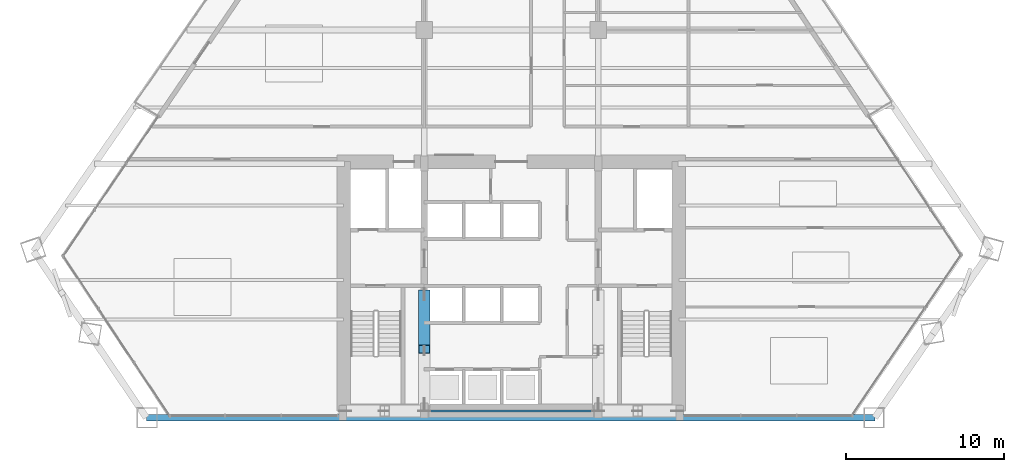
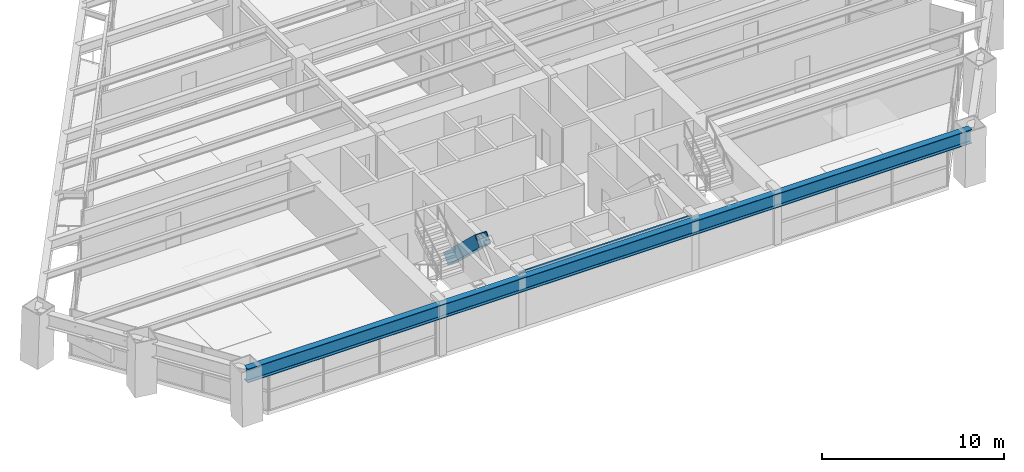
# One storey, part 3 of 15: 2 beams, 1 member.
"""IFC4 building model written with IfcOpenShell, lengths in metres."""

from ifc_helpers import new_model, si_unit, direction, frame, origin, origin_2d, place, context, subcontext, project, spatial, hollow_rectangle, i_section, extrude, source, transform, mapped, material, material_profile, profile_set, type_object, type_shapes, element, save


model = new_model("IFC4")

# Units and contexts
model_context = context("Model", 3, precision=1e-05, world=origin(), true_north=direction((0.0, 1.0)))
body_context = subcontext(model_context, "Body", "Model", "MODEL_VIEW")
ifc_project = project(units=[si_unit("LENGTHUNIT", "METRE"), si_unit("AREAUNIT", "SQUARE_METRE"), si_unit("VOLUMEUNIT", "CUBIC_METRE"), si_unit("PLANEANGLEUNIT", "RADIAN"), si_unit("MASSUNIT", "GRAM", prefix="KILO")], contexts=[model_context])

# Site, building, storey
site_placement = place(None, origin())
site = spatial("IfcSite", under=ifc_project, at=site_placement, CompositionType="ELEMENT")
building_placement = place(site_placement, origin())
building = spatial("IfcBuilding", under=site, at=building_placement, Name="Varnakhor Terracotta Tower", CompositionType="ELEMENT")
storey_placement = place(building_placement, frame((0.0, 0.0, 57.10009765625)))
storey = spatial("IfcBuildingStorey", under=building, at=storey_placement, Name="L13", CompositionType="ELEMENT", Elevation=57.10009765625)

# Beam
ifc_material_1 = material(Name="Steel S355", Category="steel")
ifc_material_profile_1 = material_profile(ifc_material_1, i_section(OverallWidth=0.1201171875, OverallDepth=0.239990234375, WebThickness=0.006103515625, FlangeThickness=0.009765625, FilletRadius=0.01806640625, at=origin_2d()), Name="IPE240")
ifc_profile_set_1 = profile_set([ifc_material_profile_1], Name="Steel S355")
beam_type_1 = type_object("IfcBeamType", Name="LNT-IPE240", PredefinedType="LINTEL", material=ifc_profile_set_1)
shared_shape_1 = source(origin(), body_context, "Body", "SweptSolid", [
    extrude(i_section(OverallWidth=0.1201171875, OverallDepth=0.239990234375, WebThickness=0.006103515625, FlangeThickness=0.009765625, FilletRadius=0.01806640625, at=origin_2d()), origin(), (0.0, 0.0, 1.0), 11.0),
])
type_shapes(beam_type_1, [shared_shape_1])
beam_1_placement = place(storey_placement, frame((-5.5, 0.419921875, 3.329833984375), z_axis=(1.0, 0.0, 0.0), x_axis=(0.0, 1.0, 0.0)))
element("IfcBeam", 1, at=beam_1_placement, inside=storey, type_object=beam_type_1, Name="L13 Core South Coupling Lintel", PredefinedType="LINTEL", context=body_context, shape_type="MappedRepresentation", body=[
    mapped(shared_shape_1, transform((0.0, 0.0, 0.0), scale=1.0)),
])

# Member
ifc_material_2 = material(Name="Steel S460", Category="steel")
ifc_material_profile_2 = material_profile(ifc_material_2, hollow_rectangle(XDim=0.75, YDim=0.75, WallThickness=0.044921875, at=origin_2d()), Name="HSS750X750X45")
ifc_profile_set_2 = profile_set([ifc_material_profile_2], Name="Steel S460")
member_type = type_object("IfcMemberType", Name="MBR-MEGA-750", PredefinedType="BRACE", material=ifc_profile_set_2)
shared_shape_2 = source(origin(), body_context, "Body", "SweptSolid", [
    extrude(hollow_rectangle(XDim=0.75, YDim=0.75, WallThickness=0.044921875, at=origin_2d()), origin(), (0.0, 0.0, 1.0), 4.792236328125),
])
member_placement = place(storey_placement, frame((-5.5, 7.800048828125, 0.0), z_axis=(0.0, -0.72515968173, 0.688580740359), x_axis=(1.0, 0.0, 0.0)))
element("IfcMember", 2, at=member_placement, inside=storey, type_object=member_type, Name="L13 Core Coupled Brace CWWB", PredefinedType="BRACE", context=body_context, shape_type="MappedRepresentation", body=[
    mapped(shared_shape_2, transform((0.0, 0.0, 0.0), scale=1.0)),
])

# Beam
ifc_material_profile_3 = material_profile(ifc_material_1, i_section(OverallWidth=0.41796875, OverallDepth=0.927001953125, WebThickness=0.01904296875, FlangeThickness=0.031982421875, FilletRadius=0.01806640625, at=origin_2d()), Name="W36X231")
ifc_profile_set_3 = profile_set([ifc_material_profile_3], Name="Steel S355")
beam_type_2 = type_object("IfcBeamType", Name="BM-W36X231", PredefinedType="BEAM", material=ifc_profile_set_3)
shared_shape_3 = source(origin(), body_context, "Body", "SweptSolid", [
    extrude(i_section(OverallWidth=0.41796875, OverallDepth=0.927001953125, WebThickness=0.01904296875, FlangeThickness=0.031982421875, FilletRadius=0.01806640625, at=origin_2d()), origin(), (0.0, 0.0, 1.0), 46.03857421875),
])
beam_2_placement = place(storey_placement, frame((-23.062255859375, 0.0, 2.986328125), z_axis=(1.0, 0.0, 0.0), x_axis=(0.0, 1.0, 0.0)))
element("IfcBeam", 3, at=beam_2_placement, inside=storey, type_object=beam_type_2, Name="L13 Perimeter Spandrel 1", PredefinedType="BEAM", context=body_context, shape_type="MappedRepresentation", body=[
    mapped(shared_shape_3, transform((0.0, 0.0, 0.0), scale=1.0)),
])

save(model, "model.ifc")
